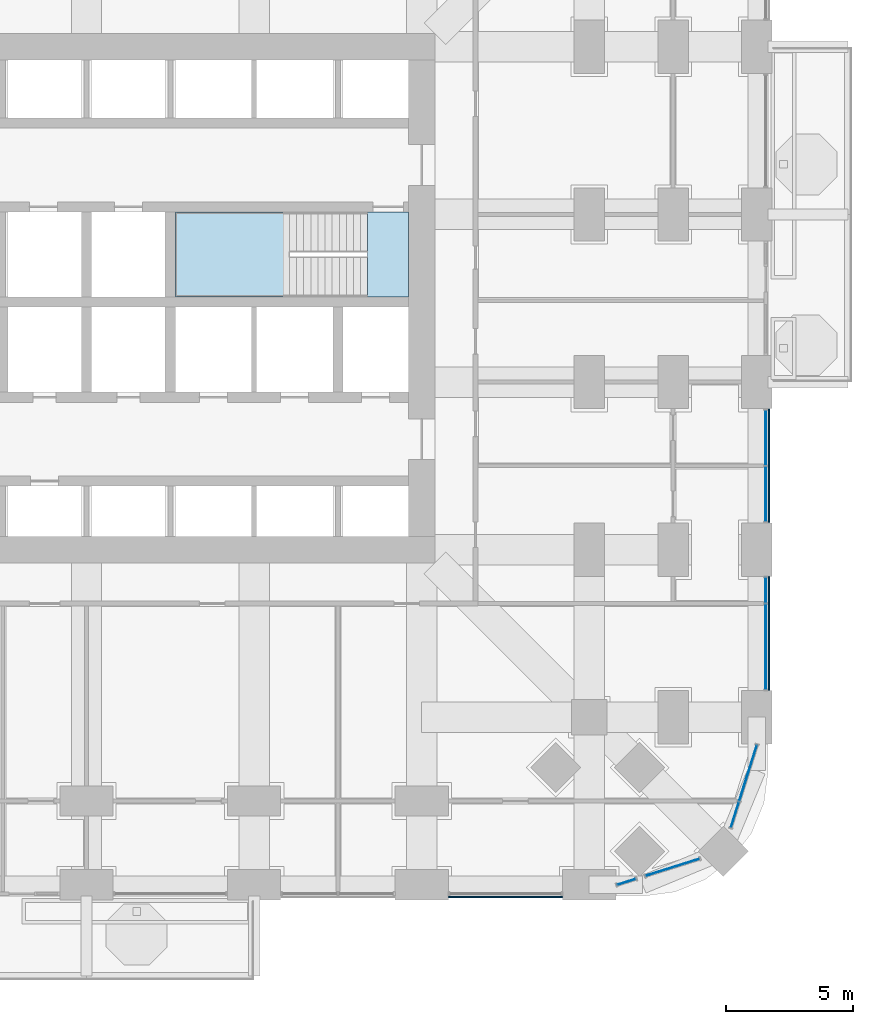
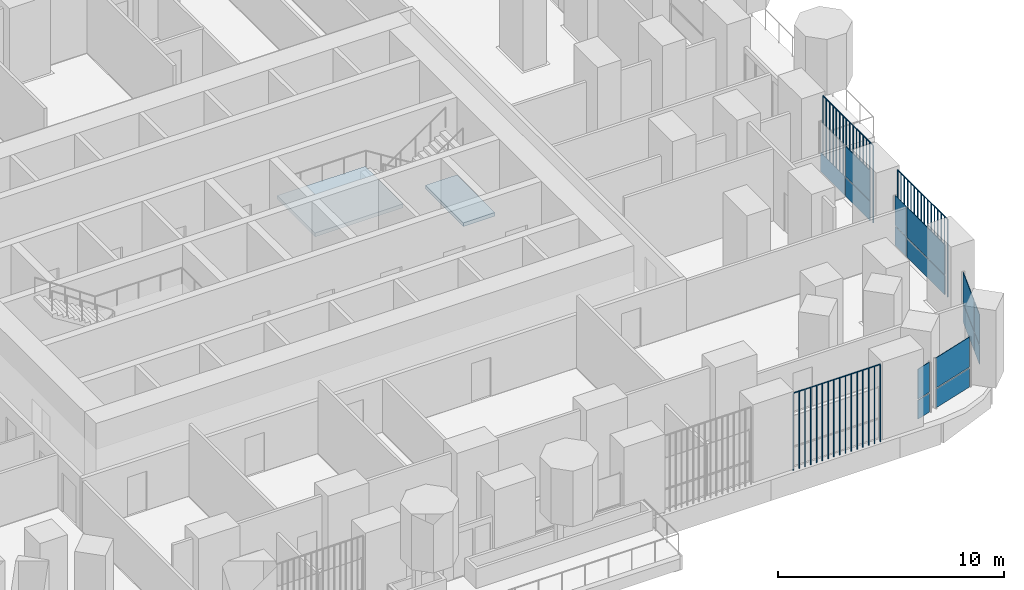
# One storey, part 13 of 26: 18 plates, 2 slabs, 6 elements without a shape of their own.
"""IFC4 building model written with IfcOpenShell, lengths in metres."""

import ifcopenshell
import ifcopenshell.guid

model = None  # the IFC model being written
_history = None  # IfcOwnerHistory: only IFC2X3 demands one
_inside = {}  # id of a spatial element -> (the spatial element, [elements in it])
_under = {}  # id of a project, library or spatial element -> (it, [spatial elements below it])
_declared = {}  # id of a project -> (the project, [libraries it declares])
_typed = {}  # id of a type object -> (the type object, [elements of that type])
_made_of = {}  # id of a material, layer set ... -> (it, [elements and type objects made of it])


def new_model(schema):
    """Start an empty IFC model of exactly this schema.

    Asked for "IFC4X3", IfcOpenShell would pick the latest addendum, in which some entities
    have other attributes; the version numbers below select the first issue.
    IFC2X3 requires an IfcOwnerHistory on every rooted entity: one is made here for all.
    """
    global model, _history
    if schema == "IFC4X3":
        model = ifcopenshell.file(schema_version=(4, 3, 0, 0))
    else:
        model = ifcopenshell.file(schema=schema)
    _inside.clear()
    _under.clear()
    _declared.clear()
    _typed.clear()
    _made_of.clear()
    _history = None
    if model.schema == "IFC2X3":
        org = make("IfcOrganization", Name="unknown")
        user = make(
            "IfcPersonAndOrganization",
            ThePerson=make("IfcPerson", FamilyName="unknown"),
            TheOrganization=org,
        )
        app = make(
            "IfcApplication",
            ApplicationDeveloper=org,
            Version="unknown",
            ApplicationFullName="unknown",
            ApplicationIdentifier="unknown",
        )
        _history = make(
            "IfcOwnerHistory",
            OwningUser=user,
            OwningApplication=app,
            ChangeAction="ADDED",
            CreationDate=0,
        )
    return model


def make(cls, **values):
    """One entity of the class cls with the attributes given. An attribute that is None is left unset."""
    return model.create_entity(
        cls, **{name: value for name, value in values.items() if value is not None}
    )


def rooted(cls, **values):
    """An entity with a GlobalId (a new one), such as an element, a storey or a relation."""
    return make(cls, GlobalId=ifcopenshell.guid.new(), OwnerHistory=_history, **values)


def si_unit(unit_type, name, prefix=None):
    """IfcSIUnit, for example si_unit("LENGTHUNIT", "METRE", prefix="MILLI")."""
    return make("IfcSIUnit", UnitType=unit_type, Prefix=prefix, Name=name)


def assignment(units):
    """IfcUnitAssignment: the units of a project."""
    return None if units is None else make("IfcUnitAssignment", Units=units)


def point(xyz):
    """IfcCartesianPoint."""
    return None if xyz is None else make("IfcCartesianPoint", Coordinates=xyz)


def direction(xyz):
    """IfcDirection."""
    return None if xyz is None else make("IfcDirection", DirectionRatios=xyz)


def frame(location, z_axis=None, x_axis=None):
    """IfcAxis2Placement3D, a coordinate frame: its origin and axes. An axis left out is left unset."""
    return make(
        "IfcAxis2Placement3D",
        Location=point(location),
        Axis=direction(z_axis),
        RefDirection=direction(x_axis),
    )


def frame_2d(location, x_axis=None):
    """IfcAxis2Placement2D, a coordinate frame in the plane: its origin and x axis."""
    return make(
        "IfcAxis2Placement2D", Location=point(location), RefDirection=direction(x_axis)
    )


def origin():
    """The frame at (0, 0, 0) with its axes left unset."""
    return frame((0.0, 0.0, 0.0))


def origin_2d():
    """The frame at (0, 0) in the plane with its x axis left unset."""
    return frame_2d((0.0, 0.0))


def place(relative_to, where):
    """IfcLocalPlacement: puts the frame where relative to a parent placement (None: the world)."""
    return make(
        "IfcLocalPlacement", PlacementRelTo=relative_to, RelativePlacement=where
    )


def context(
    kind, dimensions, precision=None, world=None, true_north=None, identifier=None
):
    """IfcGeometricRepresentationContext, for example the 3D "Model" context."""
    return make(
        "IfcGeometricRepresentationContext",
        ContextIdentifier=identifier,
        ContextType=kind,
        CoordinateSpaceDimension=dimensions,
        Precision=precision,
        WorldCoordinateSystem=world,
        TrueNorth=true_north,
    )


def subcontext(parent, identifier, kind, view, scale=None):
    """IfcGeometricRepresentationSubContext, for example "Body" below "Model"."""
    return make(
        "IfcGeometricRepresentationSubContext",
        ContextIdentifier=identifier,
        ContextType=kind,
        ParentContext=parent,
        TargetScale=scale,
        TargetView=view,
    )


def project(units=None, contexts=None):
    """IfcProject with its units and contexts."""
    return rooted(
        "IfcProject",
        Name="project",
        RepresentationContexts=contexts,
        UnitsInContext=assignment(units),
    )


def spatial(cls, under=None, at=None, **own):
    """A site, building, storey or space (cls), placed at a placement, below another one or the project."""
    s = rooted(cls, ObjectPlacement=at, **own)
    if under is not None:
        _under.setdefault(under.id(), (under, []))[1].append(s)
    return s


def polyline(points):
    """IfcPolyline through the points."""
    return make("IfcPolyline", Points=[point(p) for p in points])


def profile(cls, at=None, kind="AREA", **sizes):
    """A parametric profile (cls). Its sizes go by their IFC names, for example OverallWidth=200.0."""
    return make(cls, ProfileType=kind, Position=at, **sizes)


def rectangle(**sizes):
    """IfcRectangleProfileDef."""
    return profile("IfcRectangleProfileDef", **sizes)


def outline(outer, holes=None, kind="AREA"):
    """IfcArbitraryClosedProfileDef: a profile drawn as a closed curve; with holes, ...WithVoids."""
    if holes is None:
        return make("IfcArbitraryClosedProfileDef", ProfileType=kind, OuterCurve=outer)
    return make(
        "IfcArbitraryProfileDefWithVoids",
        ProfileType=kind,
        OuterCurve=outer,
        InnerCurves=holes,
    )


def extrude(swept, where, along, depth):
    """IfcExtrudedAreaSolid: the profile swept, set in the frame where, extruded along a direction by depth."""
    return make(
        "IfcExtrudedAreaSolid",
        SweptArea=swept,
        Position=where,
        ExtrudedDirection=direction(along),
        Depth=depth,
    )


def shape(context_of_items, identifier, shape_type, items):
    """IfcShapeRepresentation: the items that make up one representation, for example the "Body"."""
    return make(
        "IfcShapeRepresentation",
        ContextOfItems=context_of_items,
        RepresentationIdentifier=identifier,
        RepresentationType=shape_type,
        Items=items,
    )


def material(Name=None, Category=None):
    """IfcMaterial."""
    return make("IfcMaterial", Name=Name, Category=Category)


def layer(
    of_material, thickness, ventilated=None, Name=None, Category=None, Priority=None
):
    """IfcMaterialLayer: one layer of a wall or slab, of a material (None: an air gap)."""
    return make(
        "IfcMaterialLayer",
        Material=of_material,
        LayerThickness=thickness,
        IsVentilated=ventilated,
        Name=Name,
        Category=Category,
        Priority=Priority,
    )


def layer_set(layers, Name=None):
    """IfcMaterialLayerSet."""
    return make("IfcMaterialLayerSet", MaterialLayers=layers, LayerSetName=Name)


def made_of(thing, what):
    """Note that an element or type object is made of a material, layer set ...; save() writes the relation."""
    if what is not None:
        _made_of.setdefault(what.id(), (what, []))[1].append(thing)
    return thing


def type_object(cls, material=None, **own):
    """A type object (cls), such as IfcWallType, which elements share."""
    return made_of(rooted(cls, **own), material)


def element(
    cls,
    number,
    at=None,
    inside=None,
    cuts=None,
    type_object=None,
    material=None,
    context=None,
    identifier="Body",
    shape_type=None,
    held_by="IfcProductDefinitionShape",
    body=None,
    shapes=None,
    **own,
):
    """One element of the class cls, such as IfcWall. Its Tag is "e" and its number.

    at: its placement. inside: the storey or other place that contains it. cuts: it is an
    opening in that element (IfcRelVoidsElement). A single representation is given by context,
    identifier, shape_type and body (its items); several are given by shapes. held_by: the class
    of the entity that holds the representations. save() writes the other relations.
    """
    e = rooted(cls, Tag="e%d" % number, ObjectPlacement=at, **own)
    if body is not None:
        shapes = [shape(context, identifier, shape_type, body)]
    if shapes is not None:
        e.Representation = make(held_by, Representations=shapes)
    if inside is not None:
        _inside.setdefault(inside.id(), (inside, []))[1].append(e)
    if cuts is not None:
        rooted(
            "IfcRelVoidsElement", RelatingBuildingElement=cuts, RelatedOpeningElement=e
        )
    if type_object is not None:
        _typed.setdefault(type_object.id(), (type_object, []))[1].append(e)
    return made_of(e, material)


def aggregate(whole, parts):
    """IfcRelAggregates: a whole, such as a stair, and the parts it consists of."""
    return rooted("IfcRelAggregates", RelatingObject=whole, RelatedObjects=parts)


def save(model, path):
    """Write the relations noted so far, then the file.

    IfcRelAggregates (storeys below a building ...), IfcRelContainedInSpatialStructure (elements
    in a storey), IfcRelDefinesByType, IfcRelAssociatesMaterial and IfcRelDeclares: one each for
    every whole, place, type object, material and project.
    """
    for whole, parts in _under.values():
        aggregate(whole, parts)
    for where, things in _inside.values():
        rooted(
            "IfcRelContainedInSpatialStructure",
            RelatedElements=things,
            RelatingStructure=where,
        )
    for kind, things in _typed.values():
        rooted("IfcRelDefinesByType", RelatedObjects=things, RelatingType=kind)
    for what, things in _made_of.values():
        rooted("IfcRelAssociatesMaterial", RelatedObjects=things, RelatingMaterial=what)
    for by, libraries in _declared.values():
        rooted("IfcRelDeclares", RelatingContext=by, RelatedDefinitions=libraries)
    model.write(path)


model = new_model("IFC4")

# Units and contexts
model_context = context("Model", 3, precision=1e-05, world=origin(), true_north=direction((0.0, 1.0)))
body_context = subcontext(model_context, "Body", "Model", "MODEL_VIEW")
ifc_project = project(units=[si_unit("LENGTHUNIT", "METRE"), si_unit("AREAUNIT", "SQUARE_METRE"), si_unit("VOLUMEUNIT", "CUBIC_METRE"), si_unit("PLANEANGLEUNIT", "RADIAN"), si_unit("MASSUNIT", "GRAM", prefix="KILO")], contexts=[model_context])

# Site, building, storey
site_placement = place(None, origin())
site = spatial("IfcSite", under=ifc_project, at=site_placement, CompositionType="ELEMENT")
building_placement = place(site_placement, origin())
building = spatial("IfcBuilding", under=site, at=building_placement, Name="Cobogo Forest Laboratory Tower", CompositionType="ELEMENT")
storey_placement = place(building_placement, frame((0.0, 0.0, 33.89990234375)))
storey = spatial("IfcBuildingStorey", under=building, at=storey_placement, Name="L07", CompositionType="ELEMENT", Elevation=33.89990234375)

# Curtain wall, plates
ifc_material_1 = material(Name="Aluminium curtain wall", Category="aluminium")
curtain_wall_type = type_object("IfcCurtainWallType", Name="CW-1 unitised curtain wall, clear glazing, laboratory floors zones A and B", PredefinedType="USERDEFINED", material=ifc_material_1)
curtain_wall_1_placement = place(storey_placement, origin())
curtain_wall_1 = element("IfcCurtainWall", 1, at=curtain_wall_1_placement, inside=storey, type_object=curtain_wall_type, Name="Curtain wall 07 L07", ObjectType="UNITISED CURTAIN WALL", PredefinedType="USERDEFINED")
ifc_material_2 = material(Name="Clear insulated glass", Category="glass")
ifc_layer_1 = layer(ifc_material_2, 0.028076171875)
ifc_layer_set_1 = layer_set([ifc_layer_1], Name="GP-1 clear insulated glass unit 28")
plate_type_1 = type_object("IfcPlateType", Name="GP-1 clear insulated glass unit 28", PredefinedType="CURTAIN_PANEL", material=ifc_layer_set_1)
plate_1_placement = place(storey_placement, frame((47.666015625, 0.113037109375, 0.0), z_axis=(0.0, 0.0, 1.0), x_axis=(0.953581504428, 0.301135043481, 0.0)))
plate_1 = element("IfcPlate", 2, at=plate_1_placement, type_object=plate_type_1, Name="CW-1 panel 1.1", PredefinedType="CURTAIN_PANEL", context=body_context, shape_type="SweptSolid", body=[
    extrude(rectangle(XDim=0.75244140625, YDim=0.028076171875, at=origin_2d()), origin(), (0.0, 0.0, 1.0), 1.02001953125),
])
plate_2_placement = place(storey_placement, frame((47.666015625, 0.113037109375, 1.080078125), z_axis=(0.0, 0.0, 1.0), x_axis=(0.953581504428, 0.301135043481, 0.0)))
plate_2 = element("IfcPlate", 3, at=plate_2_placement, type_object=plate_type_1, Name="CW-1 panel 1.2", PredefinedType="CURTAIN_PANEL", context=body_context, shape_type="SweptSolid", body=[
    extrude(rectangle(XDim=0.75244140625, YDim=0.028076171875, at=origin_2d()), origin(), (0.0, 0.0, 1.0), 1.6201171875),
])
aggregate(curtain_wall_1, [plate_1, plate_2])

curtain_wall_2_placement = place(storey_placement, origin())
curtain_wall_2 = element("IfcCurtainWall", 4, at=curtain_wall_2_placement, inside=storey, type_object=curtain_wall_type, Name="Curtain wall 08 L07", ObjectType="UNITISED CURTAIN WALL", PredefinedType="USERDEFINED")
plate_3_placement = place(storey_placement, frame((49.482177734375, 0.6865234375, 0.0), z_axis=(0.0, 0.0, 1.0), x_axis=(0.953581409645, 0.301135343623, 0.0)))
plate_3 = element("IfcPlate", 5, at=plate_3_placement, type_object=plate_type_1, Name="CW-1 panel 1.1", PredefinedType="CURTAIN_PANEL", context=body_context, shape_type="SweptSolid", body=[
    extrude(rectangle(XDim=2.203369140625, YDim=0.028076171875, at=origin_2d()), origin(), (0.0, 0.0, 1.0), 1.02001953125),
])
plate_4_placement = place(storey_placement, frame((49.482177734375, 0.6865234375, 1.080078125), z_axis=(0.0, 0.0, 1.0), x_axis=(0.953581409645, 0.301135343623, 0.0)))
plate_4 = element("IfcPlate", 6, at=plate_4_placement, type_object=plate_type_1, Name="CW-1 panel 1.2", PredefinedType="CURTAIN_PANEL", context=body_context, shape_type="SweptSolid", body=[
    extrude(rectangle(XDim=2.203369140625, YDim=0.028076171875, at=origin_2d()), origin(), (0.0, 0.0, 1.0), 1.6201171875),
])
aggregate(curtain_wall_2, [plate_3, plate_4])

curtain_wall_3_placement = place(storey_placement, origin())
curtain_wall_3 = element("IfcCurtainWall", 7, at=curtain_wall_3_placement, inside=storey, type_object=curtain_wall_type, Name="Curtain wall 09 L07", ObjectType="UNITISED CURTAIN WALL", PredefinedType="USERDEFINED")
plate_5_placement = place(storey_placement, frame((51.9365234375, 2.75732421875, 0.0), z_axis=(0.0, 0.0, 1.0), x_axis=(0.30113535792, 0.95358140513, 0.0)))
plate_5 = element("IfcPlate", 8, at=plate_5_placement, type_object=plate_type_1, Name="CW-1 panel 1.1", PredefinedType="CURTAIN_PANEL", context=body_context, shape_type="SweptSolid", body=[
    extrude(rectangle(XDim=1.027587890625, YDim=0.028076171875, at=origin_2d()), origin(), (0.0, 0.0, 1.0), 1.02001953125),
])
plate_6_placement = place(storey_placement, frame((51.9365234375, 2.75732421875, 1.080078125), z_axis=(0.0, 0.0, 1.0), x_axis=(0.30113535792, 0.95358140513, 0.0)))
plate_6 = element("IfcPlate", 9, at=plate_6_placement, type_object=plate_type_1, Name="CW-1 panel 1.2", PredefinedType="CURTAIN_PANEL", context=body_context, shape_type="SweptSolid", body=[
    extrude(rectangle(XDim=1.027587890625, YDim=0.028076171875, at=origin_2d()), origin(), (0.0, 0.0, 1.0), 1.6201171875),
])
plate_7_placement = place(storey_placement, frame((52.454833984375, 4.398681640625, 0.0), z_axis=(0.0, 0.0, 1.0), x_axis=(0.30113535792, 0.95358140513, 0.0)))
plate_7 = element("IfcPlate", 10, at=plate_7_placement, type_object=plate_type_1, Name="CW-1 panel 2.1", PredefinedType="CURTAIN_PANEL", context=body_context, shape_type="SweptSolid", body=[
    extrude(rectangle(XDim=2.294677734375, YDim=0.028076171875, at=origin_2d()), origin(), (0.0, 0.0, 1.0), 1.02001953125),
])
plate_8_placement = place(storey_placement, frame((52.454833984375, 4.398681640625, 1.080078125), z_axis=(0.0, 0.0, 1.0), x_axis=(0.30113535792, 0.95358140513, 0.0)))
plate_8 = element("IfcPlate", 11, at=plate_8_placement, type_object=plate_type_1, Name="CW-1 panel 2.2", PredefinedType="CURTAIN_PANEL", context=body_context, shape_type="SweptSolid", body=[
    extrude(rectangle(XDim=2.294677734375, YDim=0.028076171875, at=origin_2d()), origin(), (0.0, 0.0, 1.0), 1.6201171875),
])
aggregate(curtain_wall_3, [plate_5, plate_6, plate_7, plate_8])

curtain_wall_4_placement = place(storey_placement, origin())
curtain_wall_4 = element("IfcCurtainWall", 12, at=curtain_wall_4_placement, inside=storey, type_object=curtain_wall_type, Name="Curtain wall 10 L07", ObjectType="UNITISED CURTAIN WALL", PredefinedType="USERDEFINED")
plate_9_placement = place(storey_placement, frame((53.14990234375, 9.37744140625, 0.0), z_axis=(0.0, 0.0, 1.0), x_axis=(0.0, 1.0, 0.0)))
plate_9 = element("IfcPlate", 13, at=plate_9_placement, type_object=plate_type_1, Name="CW-1 panel 1.1", PredefinedType="CURTAIN_PANEL", context=body_context, shape_type="SweptSolid", body=[
    extrude(rectangle(XDim=3.3349609375, YDim=0.028076171875, at=origin_2d()), origin(), (0.0, 0.0, 1.0), 1.02001953125),
])
plate_10_placement = place(storey_placement, frame((53.14990234375, 9.37744140625, 1.080078125), z_axis=(0.0, 0.0, 1.0), x_axis=(0.0, 1.0, 0.0)))
plate_10 = element("IfcPlate", 14, at=plate_10_placement, type_object=plate_type_1, Name="CW-1 panel 1.2", PredefinedType="CURTAIN_PANEL", context=body_context, shape_type="SweptSolid", body=[
    extrude(rectangle(XDim=3.3349609375, YDim=0.028076171875, at=origin_2d()), origin(), (0.0, 0.0, 1.0), 1.6201171875),
])
plate_11_placement = place(storey_placement, frame((53.14990234375, 11.597412109375, 0.0), z_axis=(0.0, 0.0, 1.0), x_axis=(0.0, 1.0, 0.0)))
plate_11 = element("IfcPlate", 15, at=plate_11_placement, type_object=plate_type_1, Name="CW-1 panel 2.1", PredefinedType="CURTAIN_PANEL", context=body_context, shape_type="SweptSolid", body=[
    extrude(rectangle(XDim=0.985107421875, YDim=0.028076171875, at=origin_2d()), origin(), (0.0, 0.0, 1.0), 1.02001953125),
])
plate_12_placement = place(storey_placement, frame((53.14990234375, 11.597412109375, 1.080078125), z_axis=(0.0, 0.0, 1.0), x_axis=(0.0, 1.0, 0.0)))
plate_12 = element("IfcPlate", 16, at=plate_12_placement, type_object=plate_type_1, Name="CW-1 panel 2.2", PredefinedType="CURTAIN_PANEL", context=body_context, shape_type="SweptSolid", body=[
    extrude(rectangle(XDim=0.985107421875, YDim=0.028076171875, at=origin_2d()), origin(), (0.0, 0.0, 1.0), 1.6201171875),
])
aggregate(curtain_wall_4, [plate_9, plate_10, plate_11, plate_12])

curtain_wall_5_placement = place(storey_placement, origin())
curtain_wall_5 = element("IfcCurtainWall", 17, at=curtain_wall_5_placement, inside=storey, type_object=curtain_wall_type, Name="Curtain wall 11 L07", ObjectType="UNITISED CURTAIN WALL", PredefinedType="USERDEFINED")
plate_13_placement = place(storey_placement, frame((53.14990234375, 15.389892578125, 0.0), z_axis=(0.0, 0.0, 1.0), x_axis=(0.0, 1.0, 0.0)))
plate_13 = element("IfcPlate", 18, at=plate_13_placement, type_object=plate_type_1, Name="CW-1 panel 1.1", PredefinedType="CURTAIN_PANEL", context=body_context, shape_type="SweptSolid", body=[
    extrude(rectangle(XDim=2.159912109375, YDim=0.028076171875, at=origin_2d()), origin(), (0.0, 0.0, 1.0), 1.02001953125),
])
plate_14_placement = place(storey_placement, frame((53.14990234375, 15.389892578125, 1.080078125), z_axis=(0.0, 0.0, 1.0), x_axis=(0.0, 1.0, 0.0)))
plate_14 = element("IfcPlate", 19, at=plate_14_placement, type_object=plate_type_1, Name="CW-1 panel 1.2", PredefinedType="CURTAIN_PANEL", context=body_context, shape_type="SweptSolid", body=[
    extrude(rectangle(XDim=2.159912109375, YDim=0.028076171875, at=origin_2d()), origin(), (0.0, 0.0, 1.0), 1.6201171875),
])
plate_15_placement = place(storey_placement, frame((53.14990234375, 17.610107421875, 0.0), z_axis=(0.0, 0.0, 1.0), x_axis=(0.0, 1.0, 0.0)))
plate_15 = element("IfcPlate", 20, at=plate_15_placement, type_object=plate_type_1, Name="CW-1 panel 2.1", PredefinedType="CURTAIN_PANEL", context=body_context, shape_type="SweptSolid", body=[
    extrude(rectangle(XDim=2.159912109375, YDim=0.028076171875, at=origin_2d()), origin(), (0.0, 0.0, 1.0), 1.02001953125),
])
aggregate(curtain_wall_5, [plate_13, plate_14, plate_15])

# Stair, slabs
ifc_material_3 = material(Name="Precast concrete HA-40 (C40/50)", Category="concrete")
stair_type = type_object("IfcStairType", Name="ST24 exit stair 24 risers", PredefinedType="HALF_TURN_STAIR", material=ifc_material_3)
stair_placement = place(storey_placement, origin())
stair = element("IfcStair", 21, at=stair_placement, inside=storey, type_object=stair_type, Name="Stair 2 L07 to L08", PredefinedType="HALF_TURN_STAIR")
ifc_material_4 = material(Name="Concrete HA-40 (C40/50)", Category="concrete")
ifc_layer_2 = layer(ifc_material_4, 0.199951171875)
ifc_layer_set_2 = layer_set([ifc_layer_2], Name="SL stair landing 200")
slab_type = type_object("IfcSlabType", Name="SL stair landing 200", PredefinedType="LANDING", material=ifc_layer_set_2)
slab_1_placement = place(storey_placement, frame((0.0, 0.0, -0.199951171875)))
slab_1 = element("IfcSlab", 22, at=slab_1_placement, type_object=slab_type, Name="ST2 landing 1", PredefinedType="LANDING", context=body_context, shape_type="SweptSolid", body=[
    extrude(outline(polyline([(37.472900390625, 23.14990234375), (39.074951171875, 23.14990234375), (39.074951171875, 26.5), (37.472900390625, 26.5), (37.472900390625, 23.14990234375)])), origin(), (0.0, 0.0, 1.0), 0.199951171875),
])
slab_2_placement = place(storey_placement, frame((0.0, 0.0, 1.900146484375)))
slab_2 = element("IfcSlab", 23, at=slab_2_placement, type_object=slab_type, Name="ST2 landing 2", PredefinedType="LANDING", context=body_context, shape_type="SweptSolid", body=[
    extrude(outline(polyline([(29.89990234375, 23.14990234375), (34.39697265625, 23.14990234375), (34.39697265625, 26.5), (29.89990234375, 26.5), (29.89990234375, 23.14990234375)])), origin(), (0.0, 0.0, 1.0), 0.199951171875),
])
aggregate(stair, [slab_1, slab_2])

# Plates
ifc_material_5 = material(Name="Terracotta", Category="masonry")
plate_type_2 = type_object("IfcPlateType", Name="TB1 terracotta baguette screen", PredefinedType="USERDEFINED", material=ifc_material_5)
plate_16_placement = place(storey_placement, frame((40.68115234375, -0.477783203125, -0.14990234375)))
element("IfcPlate", 24, at=plate_16_placement, inside=storey, type_object=plate_type_2, Name="Baguette screen S6 L07", ObjectType="BAGUETTE SCREEN", PredefinedType="USERDEFINED", context=body_context, shape_type="SweptSolid", body=[
    extrude(outline(polyline([(0.02880859375, 0.011962890625), (0.011962890625, 0.02880859375), (-0.011962890625, 0.02880859375), (-0.02880859375, 0.011962890625), (-0.02880859375, -0.011962890625), (-0.011962890625, -0.02880859375), (0.011962890625, -0.02880859375), (0.02880859375, -0.011962890625), (0.02880859375, 0.011962890625)])), frame((0.0, 0.0, 4.168701171875), z_axis=(1.0, 0.0, 0.0), x_axis=(0.0, 1.0, 0.0)), (0.0, 0.0, 1.0), 4.4375),
    extrude(outline(polyline([(0.02880859375, 0.011962890625), (0.011962890625, 0.02880859375), (-0.011962890625, 0.02880859375), (-0.02880859375, 0.011962890625), (-0.02880859375, -0.011962890625), (-0.011962890625, -0.02880859375), (0.011962890625, -0.02880859375), (0.02880859375, -0.011962890625), (0.02880859375, 0.011962890625)])), origin(), (0.0, 0.0, 1.0), 4.137451171875),
    extrude(outline(polyline([(0.02880859375, 0.011962890625), (0.011962890625, 0.02880859375), (-0.011962890625, 0.02880859375), (-0.02880859375, 0.011962890625), (-0.02880859375, -0.011962890625), (-0.011962890625, -0.02880859375), (0.011962890625, -0.02880859375), (0.02880859375, -0.011962890625), (0.02880859375, 0.011962890625)])), frame((0.2958984375, 0.0, 0.0)), (0.0, 0.0, 1.0), 4.137451171875),
    extrude(outline(polyline([(0.02880859375, 0.011962890625), (0.011962890625, 0.02880859375), (-0.011962890625, 0.02880859375), (-0.02880859375, 0.011962890625), (-0.02880859375, -0.011962890625), (-0.011962890625, -0.02880859375), (0.011962890625, -0.02880859375), (0.02880859375, -0.011962890625), (0.02880859375, 0.011962890625)])), frame((0.591552734375, 0.0, 0.0)), (0.0, 0.0, 1.0), 4.137451171875),
    extrude(outline(polyline([(0.02880859375, 0.011962890625), (0.011962890625, 0.02880859375), (-0.011962890625, 0.02880859375), (-0.02880859375, 0.011962890625), (-0.02880859375, -0.011962890625), (-0.011962890625, -0.02880859375), (0.011962890625, -0.02880859375), (0.02880859375, -0.011962890625), (0.02880859375, 0.011962890625)])), frame((0.887451171875, 0.0, 0.0)), (0.0, 0.0, 1.0), 4.137451171875),
    extrude(outline(polyline([(0.02880859375, 0.011962890625), (0.011962890625, 0.02880859375), (-0.011962890625, 0.02880859375), (-0.02880859375, 0.011962890625), (-0.02880859375, -0.011962890625), (-0.011962890625, -0.02880859375), (0.011962890625, -0.02880859375), (0.02880859375, -0.011962890625), (0.02880859375, 0.011962890625)])), frame((1.183349609375, 0.0, 0.0)), (0.0, 0.0, 1.0), 4.137451171875),
    extrude(outline(polyline([(0.02880859375, 0.011962890625), (0.011962890625, 0.02880859375), (-0.011962890625, 0.02880859375), (-0.02880859375, 0.011962890625), (-0.02880859375, -0.011962890625), (-0.011962890625, -0.02880859375), (0.011962890625, -0.02880859375), (0.02880859375, -0.011962890625), (0.02880859375, 0.011962890625)])), frame((1.479248046875, 0.0, 0.0)), (0.0, 0.0, 1.0), 4.137451171875),
    extrude(outline(polyline([(0.02880859375, 0.011962890625), (0.011962890625, 0.02880859375), (-0.011962890625, 0.02880859375), (-0.02880859375, 0.011962890625), (-0.02880859375, -0.011962890625), (-0.011962890625, -0.02880859375), (0.011962890625, -0.02880859375), (0.02880859375, -0.011962890625), (0.02880859375, 0.011962890625)])), frame((1.77490234375, 0.0, 0.0)), (0.0, 0.0, 1.0), 4.137451171875),
    extrude(outline(polyline([(0.02880859375, 0.011962890625), (0.011962890625, 0.02880859375), (-0.011962890625, 0.02880859375), (-0.02880859375, 0.011962890625), (-0.02880859375, -0.011962890625), (-0.011962890625, -0.02880859375), (0.011962890625, -0.02880859375), (0.02880859375, -0.011962890625), (0.02880859375, 0.011962890625)])), frame((2.07080078125, 0.0, 0.0)), (0.0, 0.0, 1.0), 4.137451171875),
    extrude(outline(polyline([(0.02880859375, 0.011962890625), (0.011962890625, 0.02880859375), (-0.011962890625, 0.02880859375), (-0.02880859375, 0.011962890625), (-0.02880859375, -0.011962890625), (-0.011962890625, -0.02880859375), (0.011962890625, -0.02880859375), (0.02880859375, -0.011962890625), (0.02880859375, 0.011962890625)])), frame((2.36669921875, 0.0, 0.0)), (0.0, 0.0, 1.0), 4.137451171875),
    extrude(outline(polyline([(0.02880859375, 0.011962890625), (0.011962890625, 0.02880859375), (-0.011962890625, 0.02880859375), (-0.02880859375, 0.011962890625), (-0.02880859375, -0.011962890625), (-0.011962890625, -0.02880859375), (0.011962890625, -0.02880859375), (0.02880859375, -0.011962890625), (0.02880859375, 0.011962890625)])), frame((2.66259765625, 0.0, 0.0)), (0.0, 0.0, 1.0), 4.137451171875),
    extrude(outline(polyline([(0.02880859375, 0.011962890625), (0.011962890625, 0.02880859375), (-0.011962890625, 0.02880859375), (-0.02880859375, 0.011962890625), (-0.02880859375, -0.011962890625), (-0.011962890625, -0.02880859375), (0.011962890625, -0.02880859375), (0.02880859375, -0.011962890625), (0.02880859375, 0.011962890625)])), frame((2.958251953125, 0.0, 0.0)), (0.0, 0.0, 1.0), 4.137451171875),
    extrude(outline(polyline([(0.02880859375, 0.011962890625), (0.011962890625, 0.02880859375), (-0.011962890625, 0.02880859375), (-0.02880859375, 0.011962890625), (-0.02880859375, -0.011962890625), (-0.011962890625, -0.02880859375), (0.011962890625, -0.02880859375), (0.02880859375, -0.011962890625), (0.02880859375, 0.011962890625)])), frame((3.254150390625, 0.0, 0.0)), (0.0, 0.0, 1.0), 4.137451171875),
    extrude(outline(polyline([(0.02880859375, 0.011962890625), (0.011962890625, 0.02880859375), (-0.011962890625, 0.02880859375), (-0.02880859375, 0.011962890625), (-0.02880859375, -0.011962890625), (-0.011962890625, -0.02880859375), (0.011962890625, -0.02880859375), (0.02880859375, -0.011962890625), (0.02880859375, 0.011962890625)])), frame((3.550048828125, 0.0, 0.0)), (0.0, 0.0, 1.0), 4.137451171875),
    extrude(outline(polyline([(0.02880859375, 0.011962890625), (0.011962890625, 0.02880859375), (-0.011962890625, 0.02880859375), (-0.02880859375, 0.011962890625), (-0.02880859375, -0.011962890625), (-0.011962890625, -0.02880859375), (0.011962890625, -0.02880859375), (0.02880859375, -0.011962890625), (0.02880859375, 0.011962890625)])), frame((3.845947265625, 0.0, 0.0)), (0.0, 0.0, 1.0), 4.137451171875),
    extrude(outline(polyline([(0.02880859375, 0.011962890625), (0.011962890625, 0.02880859375), (-0.011962890625, 0.02880859375), (-0.02880859375, 0.011962890625), (-0.02880859375, -0.011962890625), (-0.011962890625, -0.02880859375), (0.011962890625, -0.02880859375), (0.02880859375, -0.011962890625), (0.02880859375, 0.011962890625)])), frame((4.1416015625, 0.0, 0.0)), (0.0, 0.0, 1.0), 4.137451171875),
    extrude(outline(polyline([(0.02880859375, 0.011962890625), (0.011962890625, 0.02880859375), (-0.011962890625, 0.02880859375), (-0.02880859375, 0.011962890625), (-0.02880859375, -0.011962890625), (-0.011962890625, -0.02880859375), (0.011962890625, -0.02880859375), (0.02880859375, -0.011962890625), (0.02880859375, 0.011962890625)])), frame((4.4375, 0.0, 0.0)), (0.0, 0.0, 1.0), 4.137451171875),
])
plate_17_placement = place(storey_placement, frame((53.27783203125, 7.68115234375, -0.14990234375)))
element("IfcPlate", 25, at=plate_17_placement, inside=storey, type_object=plate_type_2, Name="Baguette screen E1 L07", ObjectType="BAGUETTE SCREEN", PredefinedType="USERDEFINED", context=body_context, shape_type="SweptSolid", body=[
    extrude(outline(polyline([(0.02880859375, 0.011962890625), (0.011962890625, 0.02880859375), (-0.011962890625, 0.02880859375), (-0.02880859375, 0.011962890625), (-0.02880859375, -0.011962890625), (-0.011962890625, -0.02880859375), (0.011962890625, -0.02880859375), (0.02880859375, -0.011962890625), (0.02880859375, 0.011962890625)])), frame((0.0, 0.0, 4.168701171875), z_axis=(0.0, 1.0, 0.0), x_axis=(-1.0, 0.0, 0.0)), (0.0, 0.0, 1.0), 4.4375),
    extrude(outline(polyline([(0.02880859375, 0.011962890625), (0.011962890625, 0.02880859375), (-0.011962890625, 0.02880859375), (-0.02880859375, 0.011962890625), (-0.02880859375, -0.011962890625), (-0.011962890625, -0.02880859375), (0.011962890625, -0.02880859375), (0.02880859375, -0.011962890625), (0.02880859375, 0.011962890625)])), origin(), (0.0, 0.0, 1.0), 4.137451171875),
    extrude(outline(polyline([(0.02880859375, 0.011962890625), (0.011962890625, 0.02880859375), (-0.011962890625, 0.02880859375), (-0.02880859375, 0.011962890625), (-0.02880859375, -0.011962890625), (-0.011962890625, -0.02880859375), (0.011962890625, -0.02880859375), (0.02880859375, -0.011962890625), (0.02880859375, 0.011962890625)])), frame((0.0, 0.2958984375, 0.0)), (0.0, 0.0, 1.0), 4.137451171875),
    extrude(outline(polyline([(0.02880859375, 0.011962890625), (0.011962890625, 0.02880859375), (-0.011962890625, 0.02880859375), (-0.02880859375, 0.011962890625), (-0.02880859375, -0.011962890625), (-0.011962890625, -0.02880859375), (0.011962890625, -0.02880859375), (0.02880859375, -0.011962890625), (0.02880859375, 0.011962890625)])), frame((0.0, 0.591552734375, 0.0)), (0.0, 0.0, 1.0), 4.137451171875),
    extrude(outline(polyline([(0.02880859375, 0.011962890625), (0.011962890625, 0.02880859375), (-0.011962890625, 0.02880859375), (-0.02880859375, 0.011962890625), (-0.02880859375, -0.011962890625), (-0.011962890625, -0.02880859375), (0.011962890625, -0.02880859375), (0.02880859375, -0.011962890625), (0.02880859375, 0.011962890625)])), frame((0.0, 0.887451171875, 0.0)), (0.0, 0.0, 1.0), 4.137451171875),
    extrude(outline(polyline([(0.02880859375, 0.011962890625), (0.011962890625, 0.02880859375), (-0.011962890625, 0.02880859375), (-0.02880859375, 0.011962890625), (-0.02880859375, -0.011962890625), (-0.011962890625, -0.02880859375), (0.011962890625, -0.02880859375), (0.02880859375, -0.011962890625), (0.02880859375, 0.011962890625)])), frame((0.0, 1.183349609375, 0.0)), (0.0, 0.0, 1.0), 4.137451171875),
    extrude(outline(polyline([(0.02880859375, 0.011962890625), (0.011962890625, 0.02880859375), (-0.011962890625, 0.02880859375), (-0.02880859375, 0.011962890625), (-0.02880859375, -0.011962890625), (-0.011962890625, -0.02880859375), (0.011962890625, -0.02880859375), (0.02880859375, -0.011962890625), (0.02880859375, 0.011962890625)])), frame((0.0, 1.479248046875, 0.0)), (0.0, 0.0, 1.0), 4.137451171875),
    extrude(outline(polyline([(0.02880859375, 0.011962890625), (0.011962890625, 0.02880859375), (-0.011962890625, 0.02880859375), (-0.02880859375, 0.011962890625), (-0.02880859375, -0.011962890625), (-0.011962890625, -0.02880859375), (0.011962890625, -0.02880859375), (0.02880859375, -0.011962890625), (0.02880859375, 0.011962890625)])), frame((0.0, 1.77490234375, 0.0)), (0.0, 0.0, 1.0), 4.137451171875),
    extrude(outline(polyline([(0.02880859375, 0.011962890625), (0.011962890625, 0.02880859375), (-0.011962890625, 0.02880859375), (-0.02880859375, 0.011962890625), (-0.02880859375, -0.011962890625), (-0.011962890625, -0.02880859375), (0.011962890625, -0.02880859375), (0.02880859375, -0.011962890625), (0.02880859375, 0.011962890625)])), frame((0.0, 2.07080078125, 0.0)), (0.0, 0.0, 1.0), 4.137451171875),
    extrude(outline(polyline([(0.02880859375, 0.011962890625), (0.011962890625, 0.02880859375), (-0.011962890625, 0.02880859375), (-0.02880859375, 0.011962890625), (-0.02880859375, -0.011962890625), (-0.011962890625, -0.02880859375), (0.011962890625, -0.02880859375), (0.02880859375, -0.011962890625), (0.02880859375, 0.011962890625)])), frame((0.0, 2.36669921875, 0.0)), (0.0, 0.0, 1.0), 4.137451171875),
    extrude(outline(polyline([(0.02880859375, 0.011962890625), (0.011962890625, 0.02880859375), (-0.011962890625, 0.02880859375), (-0.02880859375, 0.011962890625), (-0.02880859375, -0.011962890625), (-0.011962890625, -0.02880859375), (0.011962890625, -0.02880859375), (0.02880859375, -0.011962890625), (0.02880859375, 0.011962890625)])), frame((0.0, 2.66259765625, 0.0)), (0.0, 0.0, 1.0), 4.137451171875),
    extrude(outline(polyline([(0.02880859375, 0.011962890625), (0.011962890625, 0.02880859375), (-0.011962890625, 0.02880859375), (-0.02880859375, 0.011962890625), (-0.02880859375, -0.011962890625), (-0.011962890625, -0.02880859375), (0.011962890625, -0.02880859375), (0.02880859375, -0.011962890625), (0.02880859375, 0.011962890625)])), frame((0.0, 2.958251953125, 0.0)), (0.0, 0.0, 1.0), 4.137451171875),
    extrude(outline(polyline([(0.02880859375, 0.011962890625), (0.011962890625, 0.02880859375), (-0.011962890625, 0.02880859375), (-0.02880859375, 0.011962890625), (-0.02880859375, -0.011962890625), (-0.011962890625, -0.02880859375), (0.011962890625, -0.02880859375), (0.02880859375, -0.011962890625), (0.02880859375, 0.011962890625)])), frame((0.0, 3.254150390625, 0.0)), (0.0, 0.0, 1.0), 4.137451171875),
    extrude(outline(polyline([(0.02880859375, 0.011962890625), (0.011962890625, 0.02880859375), (-0.011962890625, 0.02880859375), (-0.02880859375, 0.011962890625), (-0.02880859375, -0.011962890625), (-0.011962890625, -0.02880859375), (0.011962890625, -0.02880859375), (0.02880859375, -0.011962890625), (0.02880859375, 0.011962890625)])), frame((0.0, 3.550048828125, 0.0)), (0.0, 0.0, 1.0), 4.137451171875),
    extrude(outline(polyline([(0.02880859375, 0.011962890625), (0.011962890625, 0.02880859375), (-0.011962890625, 0.02880859375), (-0.02880859375, 0.011962890625), (-0.02880859375, -0.011962890625), (-0.011962890625, -0.02880859375), (0.011962890625, -0.02880859375), (0.02880859375, -0.011962890625), (0.02880859375, 0.011962890625)])), frame((0.0, 3.845947265625, 0.0)), (0.0, 0.0, 1.0), 4.137451171875),
    extrude(outline(polyline([(0.02880859375, 0.011962890625), (0.011962890625, 0.02880859375), (-0.011962890625, 0.02880859375), (-0.02880859375, 0.011962890625), (-0.02880859375, -0.011962890625), (-0.011962890625, -0.02880859375), (0.011962890625, -0.02880859375), (0.02880859375, -0.011962890625), (0.02880859375, 0.011962890625)])), frame((0.0, 4.1416015625, 0.0)), (0.0, 0.0, 1.0), 4.137451171875),
    extrude(outline(polyline([(0.02880859375, 0.011962890625), (0.011962890625, 0.02880859375), (-0.011962890625, 0.02880859375), (-0.02880859375, 0.011962890625), (-0.02880859375, -0.011962890625), (-0.011962890625, -0.02880859375), (0.011962890625, -0.02880859375), (0.02880859375, -0.011962890625), (0.02880859375, 0.011962890625)])), frame((0.0, 4.4375, 0.0)), (0.0, 0.0, 1.0), 4.137451171875),
])
plate_18_placement = place(storey_placement, frame((53.27783203125, 14.28125, -0.14990234375)))
element("IfcPlate", 26, at=plate_18_placement, inside=storey, type_object=plate_type_2, Name="Baguette screen E2 L07", ObjectType="BAGUETTE SCREEN", PredefinedType="USERDEFINED", context=body_context, shape_type="SweptSolid", body=[
    extrude(outline(polyline([(0.02880859375, 0.011962890625), (0.011962890625, 0.02880859375), (-0.011962890625, 0.02880859375), (-0.02880859375, 0.011962890625), (-0.02880859375, -0.011962890625), (-0.011962890625, -0.02880859375), (0.011962890625, -0.02880859375), (0.02880859375, -0.011962890625), (0.02880859375, 0.011962890625)])), frame((0.0, 0.0, 4.168701171875), z_axis=(0.0, 1.0, 0.0), x_axis=(-1.0, 0.0, 0.0)), (0.0, 0.0, 1.0), 4.4375),
    extrude(outline(polyline([(0.02880859375, 0.011962890625), (0.011962890625, 0.02880859375), (-0.011962890625, 0.02880859375), (-0.02880859375, 0.011962890625), (-0.02880859375, -0.011962890625), (-0.011962890625, -0.02880859375), (0.011962890625, -0.02880859375), (0.02880859375, -0.011962890625), (0.02880859375, 0.011962890625)])), origin(), (0.0, 0.0, 1.0), 4.137451171875),
    extrude(outline(polyline([(0.02880859375, 0.011962890625), (0.011962890625, 0.02880859375), (-0.011962890625, 0.02880859375), (-0.02880859375, 0.011962890625), (-0.02880859375, -0.011962890625), (-0.011962890625, -0.02880859375), (0.011962890625, -0.02880859375), (0.02880859375, -0.011962890625), (0.02880859375, 0.011962890625)])), frame((0.0, 0.2958984375, 0.0)), (0.0, 0.0, 1.0), 4.137451171875),
    extrude(outline(polyline([(0.02880859375, 0.011962890625), (0.011962890625, 0.02880859375), (-0.011962890625, 0.02880859375), (-0.02880859375, 0.011962890625), (-0.02880859375, -0.011962890625), (-0.011962890625, -0.02880859375), (0.011962890625, -0.02880859375), (0.02880859375, -0.011962890625), (0.02880859375, 0.011962890625)])), frame((0.0, 0.591552734375, 0.0)), (0.0, 0.0, 1.0), 4.137451171875),
    extrude(outline(polyline([(0.02880859375, 0.011962890625), (0.011962890625, 0.02880859375), (-0.011962890625, 0.02880859375), (-0.02880859375, 0.011962890625), (-0.02880859375, -0.011962890625), (-0.011962890625, -0.02880859375), (0.011962890625, -0.02880859375), (0.02880859375, -0.011962890625), (0.02880859375, 0.011962890625)])), frame((0.0, 0.887451171875, 0.0)), (0.0, 0.0, 1.0), 4.137451171875),
    extrude(outline(polyline([(0.02880859375, 0.011962890625), (0.011962890625, 0.02880859375), (-0.011962890625, 0.02880859375), (-0.02880859375, 0.011962890625), (-0.02880859375, -0.011962890625), (-0.011962890625, -0.02880859375), (0.011962890625, -0.02880859375), (0.02880859375, -0.011962890625), (0.02880859375, 0.011962890625)])), frame((0.0, 1.183349609375, 0.0)), (0.0, 0.0, 1.0), 4.137451171875),
    extrude(outline(polyline([(0.02880859375, 0.011962890625), (0.011962890625, 0.02880859375), (-0.011962890625, 0.02880859375), (-0.02880859375, 0.011962890625), (-0.02880859375, -0.011962890625), (-0.011962890625, -0.02880859375), (0.011962890625, -0.02880859375), (0.02880859375, -0.011962890625), (0.02880859375, 0.011962890625)])), frame((0.0, 1.479248046875, 0.0)), (0.0, 0.0, 1.0), 4.137451171875),
    extrude(outline(polyline([(0.02880859375, 0.011962890625), (0.011962890625, 0.02880859375), (-0.011962890625, 0.02880859375), (-0.02880859375, 0.011962890625), (-0.02880859375, -0.011962890625), (-0.011962890625, -0.02880859375), (0.011962890625, -0.02880859375), (0.02880859375, -0.011962890625), (0.02880859375, 0.011962890625)])), frame((0.0, 1.77490234375, 0.0)), (0.0, 0.0, 1.0), 4.137451171875),
    extrude(outline(polyline([(0.02880859375, 0.011962890625), (0.011962890625, 0.02880859375), (-0.011962890625, 0.02880859375), (-0.02880859375, 0.011962890625), (-0.02880859375, -0.011962890625), (-0.011962890625, -0.02880859375), (0.011962890625, -0.02880859375), (0.02880859375, -0.011962890625), (0.02880859375, 0.011962890625)])), frame((0.0, 2.07080078125, 0.0)), (0.0, 0.0, 1.0), 4.137451171875),
    extrude(outline(polyline([(0.02880859375, 0.011962890625), (0.011962890625, 0.02880859375), (-0.011962890625, 0.02880859375), (-0.02880859375, 0.011962890625), (-0.02880859375, -0.011962890625), (-0.011962890625, -0.02880859375), (0.011962890625, -0.02880859375), (0.02880859375, -0.011962890625), (0.02880859375, 0.011962890625)])), frame((0.0, 2.36669921875, 0.0)), (0.0, 0.0, 1.0), 4.137451171875),
    extrude(outline(polyline([(0.02880859375, 0.011962890625), (0.011962890625, 0.02880859375), (-0.011962890625, 0.02880859375), (-0.02880859375, 0.011962890625), (-0.02880859375, -0.011962890625), (-0.011962890625, -0.02880859375), (0.011962890625, -0.02880859375), (0.02880859375, -0.011962890625), (0.02880859375, 0.011962890625)])), frame((0.0, 2.66259765625, 0.0)), (0.0, 0.0, 1.0), 4.137451171875),
    extrude(outline(polyline([(0.02880859375, 0.011962890625), (0.011962890625, 0.02880859375), (-0.011962890625, 0.02880859375), (-0.02880859375, 0.011962890625), (-0.02880859375, -0.011962890625), (-0.011962890625, -0.02880859375), (0.011962890625, -0.02880859375), (0.02880859375, -0.011962890625), (0.02880859375, 0.011962890625)])), frame((0.0, 2.958251953125, 0.0)), (0.0, 0.0, 1.0), 4.137451171875),
    extrude(outline(polyline([(0.02880859375, 0.011962890625), (0.011962890625, 0.02880859375), (-0.011962890625, 0.02880859375), (-0.02880859375, 0.011962890625), (-0.02880859375, -0.011962890625), (-0.011962890625, -0.02880859375), (0.011962890625, -0.02880859375), (0.02880859375, -0.011962890625), (0.02880859375, 0.011962890625)])), frame((0.0, 3.254150390625, 0.0)), (0.0, 0.0, 1.0), 4.137451171875),
    extrude(outline(polyline([(0.02880859375, 0.011962890625), (0.011962890625, 0.02880859375), (-0.011962890625, 0.02880859375), (-0.02880859375, 0.011962890625), (-0.02880859375, -0.011962890625), (-0.011962890625, -0.02880859375), (0.011962890625, -0.02880859375), (0.02880859375, -0.011962890625), (0.02880859375, 0.011962890625)])), frame((0.0, 3.550048828125, 0.0)), (0.0, 0.0, 1.0), 4.137451171875),
    extrude(outline(polyline([(0.02880859375, 0.011962890625), (0.011962890625, 0.02880859375), (-0.011962890625, 0.02880859375), (-0.02880859375, 0.011962890625), (-0.02880859375, -0.011962890625), (-0.011962890625, -0.02880859375), (0.011962890625, -0.02880859375), (0.02880859375, -0.011962890625), (0.02880859375, 0.011962890625)])), frame((0.0, 3.845947265625, 0.0)), (0.0, 0.0, 1.0), 4.137451171875),
    extrude(outline(polyline([(0.02880859375, 0.011962890625), (0.011962890625, 0.02880859375), (-0.011962890625, 0.02880859375), (-0.02880859375, 0.011962890625), (-0.02880859375, -0.011962890625), (-0.011962890625, -0.02880859375), (0.011962890625, -0.02880859375), (0.02880859375, -0.011962890625), (0.02880859375, 0.011962890625)])), frame((0.0, 4.1416015625, 0.0)), (0.0, 0.0, 1.0), 4.137451171875),
    extrude(outline(polyline([(0.02880859375, 0.011962890625), (0.011962890625, 0.02880859375), (-0.011962890625, 0.02880859375), (-0.02880859375, 0.011962890625), (-0.02880859375, -0.011962890625), (-0.011962890625, -0.02880859375), (0.011962890625, -0.02880859375), (0.02880859375, -0.011962890625), (0.02880859375, 0.011962890625)])), frame((0.0, 4.4375, 0.0)), (0.0, 0.0, 1.0), 4.137451171875),
])

save(model, "model.ifc")
